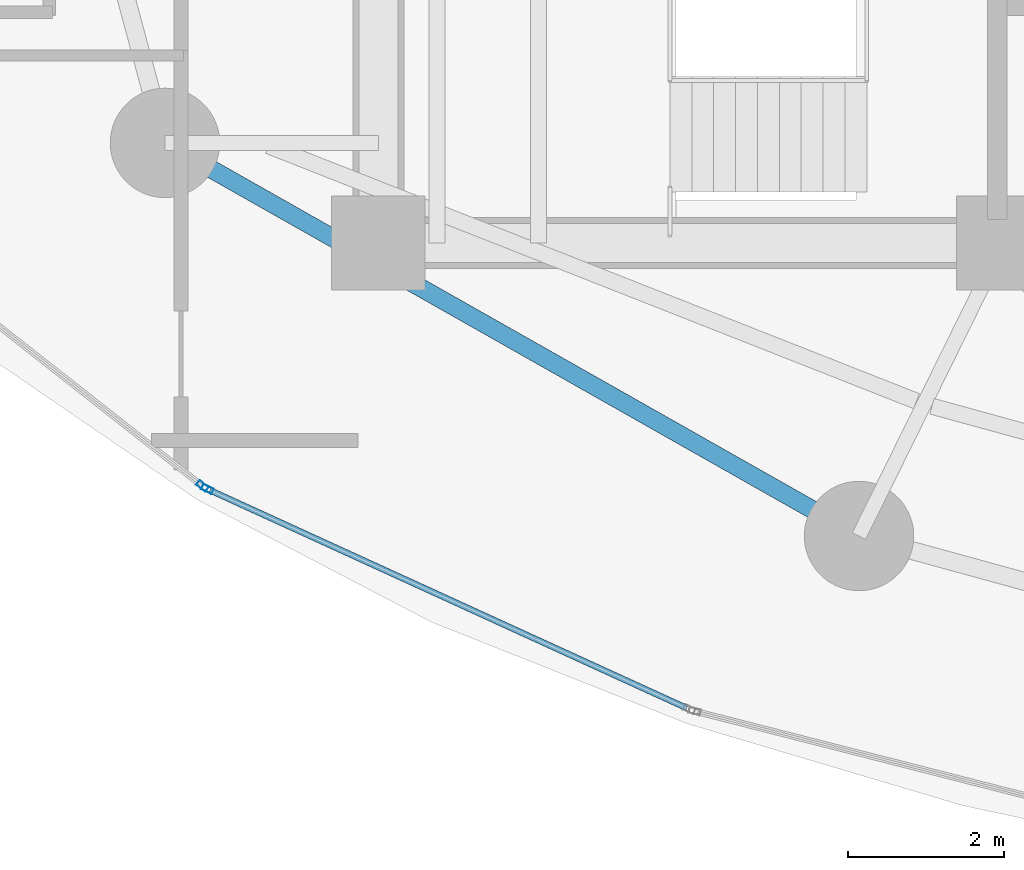
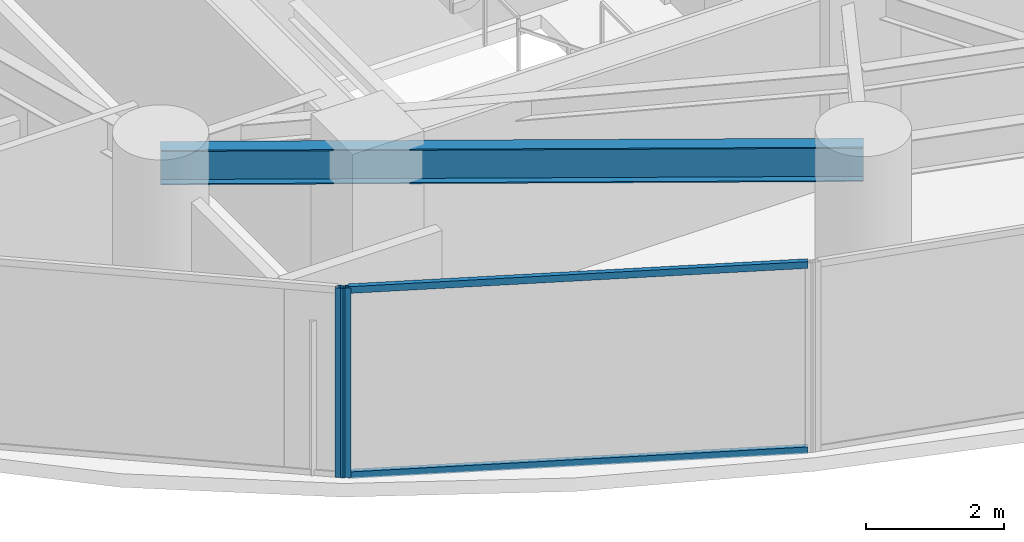
# One storey, part 2 of 33: 4 members, 1 beam, 2 elements without a shape of their own.
"""IFC4 building model written with IfcOpenShell, lengths in metres."""

import ifcopenshell
import ifcopenshell.guid

model = None  # the IFC model being written
_history = None  # IfcOwnerHistory: only IFC2X3 demands one
_inside = {}  # id of a spatial element -> (the spatial element, [elements in it])
_under = {}  # id of a project, library or spatial element -> (it, [spatial elements below it])
_declared = {}  # id of a project -> (the project, [libraries it declares])
_typed = {}  # id of a type object -> (the type object, [elements of that type])
_made_of = {}  # id of a material, layer set ... -> (it, [elements and type objects made of it])


def new_model(schema):
    """Start an empty IFC model of exactly this schema.

    Asked for "IFC4X3", IfcOpenShell would pick the latest addendum, in which some entities
    have other attributes; the version numbers below select the first issue.
    IFC2X3 requires an IfcOwnerHistory on every rooted entity: one is made here for all.
    """
    global model, _history
    if schema == "IFC4X3":
        model = ifcopenshell.file(schema_version=(4, 3, 0, 0))
    else:
        model = ifcopenshell.file(schema=schema)
    _inside.clear()
    _under.clear()
    _declared.clear()
    _typed.clear()
    _made_of.clear()
    _history = None
    if model.schema == "IFC2X3":
        org = make("IfcOrganization", Name="unknown")
        user = make(
            "IfcPersonAndOrganization",
            ThePerson=make("IfcPerson", FamilyName="unknown"),
            TheOrganization=org,
        )
        app = make(
            "IfcApplication",
            ApplicationDeveloper=org,
            Version="unknown",
            ApplicationFullName="unknown",
            ApplicationIdentifier="unknown",
        )
        _history = make(
            "IfcOwnerHistory",
            OwningUser=user,
            OwningApplication=app,
            ChangeAction="ADDED",
            CreationDate=0,
        )
    return model


def make(cls, **values):
    """One entity of the class cls with the attributes given. An attribute that is None is left unset."""
    return model.create_entity(
        cls, **{name: value for name, value in values.items() if value is not None}
    )


def rooted(cls, **values):
    """An entity with a GlobalId (a new one), such as an element, a storey or a relation."""
    return make(cls, GlobalId=ifcopenshell.guid.new(), OwnerHistory=_history, **values)


def si_unit(unit_type, name, prefix=None):
    """IfcSIUnit, for example si_unit("LENGTHUNIT", "METRE", prefix="MILLI")."""
    return make("IfcSIUnit", UnitType=unit_type, Prefix=prefix, Name=name)


def assignment(units):
    """IfcUnitAssignment: the units of a project."""
    return None if units is None else make("IfcUnitAssignment", Units=units)


def point(xyz):
    """IfcCartesianPoint."""
    return None if xyz is None else make("IfcCartesianPoint", Coordinates=xyz)


def direction(xyz):
    """IfcDirection."""
    return None if xyz is None else make("IfcDirection", DirectionRatios=xyz)


def frame(location, z_axis=None, x_axis=None):
    """IfcAxis2Placement3D, a coordinate frame: its origin and axes. An axis left out is left unset."""
    return make(
        "IfcAxis2Placement3D",
        Location=point(location),
        Axis=direction(z_axis),
        RefDirection=direction(x_axis),
    )


def frame_2d(location, x_axis=None):
    """IfcAxis2Placement2D, a coordinate frame in the plane: its origin and x axis."""
    return make(
        "IfcAxis2Placement2D", Location=point(location), RefDirection=direction(x_axis)
    )


def origin():
    """The frame at (0, 0, 0) with its axes left unset."""
    return frame((0.0, 0.0, 0.0))


def origin_2d():
    """The frame at (0, 0) in the plane with its x axis left unset."""
    return frame_2d((0.0, 0.0))


def place(relative_to, where):
    """IfcLocalPlacement: puts the frame where relative to a parent placement (None: the world)."""
    return make(
        "IfcLocalPlacement", PlacementRelTo=relative_to, RelativePlacement=where
    )


def context(
    kind, dimensions, precision=None, world=None, true_north=None, identifier=None
):
    """IfcGeometricRepresentationContext, for example the 3D "Model" context."""
    return make(
        "IfcGeometricRepresentationContext",
        ContextIdentifier=identifier,
        ContextType=kind,
        CoordinateSpaceDimension=dimensions,
        Precision=precision,
        WorldCoordinateSystem=world,
        TrueNorth=true_north,
    )


def subcontext(parent, identifier, kind, view, scale=None):
    """IfcGeometricRepresentationSubContext, for example "Body" below "Model"."""
    return make(
        "IfcGeometricRepresentationSubContext",
        ContextIdentifier=identifier,
        ContextType=kind,
        ParentContext=parent,
        TargetScale=scale,
        TargetView=view,
    )


def project(units=None, contexts=None):
    """IfcProject with its units and contexts."""
    return rooted(
        "IfcProject",
        Name="project",
        RepresentationContexts=contexts,
        UnitsInContext=assignment(units),
    )


def spatial(cls, under=None, at=None, **own):
    """A site, building, storey or space (cls), placed at a placement, below another one or the project."""
    s = rooted(cls, ObjectPlacement=at, **own)
    if under is not None:
        _under.setdefault(under.id(), (under, []))[1].append(s)
    return s


def profile(cls, at=None, kind="AREA", **sizes):
    """A parametric profile (cls). Its sizes go by their IFC names, for example OverallWidth=200.0."""
    return make(cls, ProfileType=kind, Position=at, **sizes)


def hollow_rectangle(**sizes):
    """IfcRectangleHollowProfileDef."""
    return profile("IfcRectangleHollowProfileDef", **sizes)


def i_section(**sizes):
    """IfcIShapeProfileDef."""
    return profile("IfcIShapeProfileDef", **sizes)


def extrude(swept, where, along, depth):
    """IfcExtrudedAreaSolid: the profile swept, set in the frame where, extruded along a direction by depth."""
    return make(
        "IfcExtrudedAreaSolid",
        SweptArea=swept,
        Position=where,
        ExtrudedDirection=direction(along),
        Depth=depth,
    )


def shape(context_of_items, identifier, shape_type, items):
    """IfcShapeRepresentation: the items that make up one representation, for example the "Body"."""
    return make(
        "IfcShapeRepresentation",
        ContextOfItems=context_of_items,
        RepresentationIdentifier=identifier,
        RepresentationType=shape_type,
        Items=items,
    )


def material(Name=None, Category=None):
    """IfcMaterial."""
    return make("IfcMaterial", Name=Name, Category=Category)


def layer(
    of_material, thickness, ventilated=None, Name=None, Category=None, Priority=None
):
    """IfcMaterialLayer: one layer of a wall or slab, of a material (None: an air gap)."""
    return make(
        "IfcMaterialLayer",
        Material=of_material,
        LayerThickness=thickness,
        IsVentilated=ventilated,
        Name=Name,
        Category=Category,
        Priority=Priority,
    )


def layer_set(layers, Name=None):
    """IfcMaterialLayerSet."""
    return make("IfcMaterialLayerSet", MaterialLayers=layers, LayerSetName=Name)


def material_profile(
    of_material, cross_section, Name=None, Category=None, Priority=None
):
    """IfcMaterialProfile: a cross section and its material."""
    return make(
        "IfcMaterialProfile",
        Name=Name,
        Material=of_material,
        Profile=cross_section,
        Priority=Priority,
        Category=Category,
    )


def profile_set(profiles, Name=None, composite=None):
    """IfcMaterialProfileSet."""
    return make(
        "IfcMaterialProfileSet",
        Name=Name,
        MaterialProfiles=profiles,
        CompositeProfile=composite,
    )


def made_of(thing, what):
    """Note that an element or type object is made of a material, layer set ...; save() writes the relation."""
    if what is not None:
        _made_of.setdefault(what.id(), (what, []))[1].append(thing)
    return thing


def type_object(cls, material=None, **own):
    """A type object (cls), such as IfcWallType, which elements share."""
    return made_of(rooted(cls, **own), material)


def element(
    cls,
    number,
    at=None,
    inside=None,
    cuts=None,
    type_object=None,
    material=None,
    context=None,
    identifier="Body",
    shape_type=None,
    held_by="IfcProductDefinitionShape",
    body=None,
    shapes=None,
    **own,
):
    """One element of the class cls, such as IfcWall. Its Tag is "e" and its number.

    at: its placement. inside: the storey or other place that contains it. cuts: it is an
    opening in that element (IfcRelVoidsElement). A single representation is given by context,
    identifier, shape_type and body (its items); several are given by shapes. held_by: the class
    of the entity that holds the representations. save() writes the other relations.
    """
    e = rooted(cls, Tag="e%d" % number, ObjectPlacement=at, **own)
    if body is not None:
        shapes = [shape(context, identifier, shape_type, body)]
    if shapes is not None:
        e.Representation = make(held_by, Representations=shapes)
    if inside is not None:
        _inside.setdefault(inside.id(), (inside, []))[1].append(e)
    if cuts is not None:
        rooted(
            "IfcRelVoidsElement", RelatingBuildingElement=cuts, RelatedOpeningElement=e
        )
    if type_object is not None:
        _typed.setdefault(type_object.id(), (type_object, []))[1].append(e)
    return made_of(e, material)


def aggregate(whole, parts):
    """IfcRelAggregates: a whole, such as a stair, and the parts it consists of."""
    return rooted("IfcRelAggregates", RelatingObject=whole, RelatedObjects=parts)


def save(model, path):
    """Write the relations noted so far, then the file.

    IfcRelAggregates (storeys below a building ...), IfcRelContainedInSpatialStructure (elements
    in a storey), IfcRelDefinesByType, IfcRelAssociatesMaterial and IfcRelDeclares: one each for
    every whole, place, type object, material and project.
    """
    for whole, parts in _under.values():
        aggregate(whole, parts)
    for where, things in _inside.values():
        rooted(
            "IfcRelContainedInSpatialStructure",
            RelatedElements=things,
            RelatingStructure=where,
        )
    for kind, things in _typed.values():
        rooted("IfcRelDefinesByType", RelatedObjects=things, RelatingType=kind)
    for what, things in _made_of.values():
        rooted("IfcRelAssociatesMaterial", RelatedObjects=things, RelatingMaterial=what)
    for by, libraries in _declared.values():
        rooted("IfcRelDeclares", RelatingContext=by, RelatedDefinitions=libraries)
    model.write(path)


model = new_model("IFC4")

# Units and contexts
model_context = context("Model", 3, precision=1e-05, world=origin(), true_north=direction((0.0, 1.0)))
body_context = subcontext(model_context, "Body", "Model", "MODEL_VIEW")
ifc_project = project(units=[si_unit("LENGTHUNIT", "METRE"), si_unit("AREAUNIT", "SQUARE_METRE"), si_unit("VOLUMEUNIT", "CUBIC_METRE"), si_unit("PLANEANGLEUNIT", "RADIAN"), si_unit("MASSUNIT", "GRAM", prefix="KILO")], contexts=[model_context])

# Site, building, storey
site_placement = place(None, origin())
site = spatial("IfcSite", under=ifc_project, at=site_placement, CompositionType="ELEMENT")
building_placement = place(site_placement, origin())
building = spatial("IfcBuilding", under=site, at=building_placement, Name="Kazevale Care Tower and Concert Hall", CompositionType="ELEMENT")
storey_placement = place(building_placement, frame((0.0, 0.0, 31.199951171875)))
storey = spatial("IfcBuildingStorey", under=building, at=storey_placement, Name="L07", CompositionType="ELEMENT", Elevation=31.199951171875)

# Curtain wall, member
ifc_material_1 = material(Name="Aluminium 6063-T6 and Low-E Glass", Category="aluminium")
ifc_layer = layer(ifc_material_1, 0.179931640625)
ifc_layer_set = layer_set([ifc_layer], Name="Aluminium 6063-T6 and Low-E Glass")
curtain_wall_type = type_object("IfcCurtainWallType", Name="Sheltered Concave Balcony Curtain Wall CW-5", PredefinedType="NOTDEFINED", material=ifc_layer_set)
curtain_wall_1_placement = place(storey_placement, origin())
curtain_wall_1 = element("IfcCurtainWall", 1, at=curtain_wall_1_placement, inside=storey, type_object=curtain_wall_type, Name="cw:L07:f09", PredefinedType="NOTDEFINED")
ifc_material_2 = material(Name="Aluminium 6063-T6", Category="aluminium")
ifc_material_profile_1 = material_profile(ifc_material_2, hollow_rectangle(XDim=0.074951171875, YDim=0.14990234375, WallThickness=0.00390625, at=origin_2d()), Name="ALU75x150x4")
ifc_profile_set_1 = profile_set([ifc_material_profile_1], Name="Aluminium 6063-T6")
member_type_1 = type_object("IfcMemberType", Name="CW-5 Mullion ALU75x150x4", PredefinedType="MULLION", material=ifc_profile_set_1)
member_1_placement = place(storey_placement, frame((19.81201171875, 20.451416015625, 0.0), z_axis=(0.0, 0.0, 1.0), x_axis=(-0.415659767773, -0.909520179795, 0.0)))
member_1 = element("IfcMember", 2, at=member_1_placement, type_object=member_type_1, Name="CW-5 mullion 2", PredefinedType="MULLION", context=body_context, shape_type="SweptSolid", body=[
    extrude(hollow_rectangle(XDim=0.074951171875, YDim=0.14990234375, WallThickness=0.00390625, at=origin_2d()), origin(), (0.0, 0.0, 1.0), 3.360107421875),
])

curtain_wall_2_placement = place(storey_placement, origin())
curtain_wall_2 = element("IfcCurtainWall", 3, at=curtain_wall_2_placement, inside=storey, type_object=curtain_wall_type, Name="cw:L07:f10", PredefinedType="NOTDEFINED")
member_2_placement = place(storey_placement, frame((19.74853515625, 20.490234375, 0.0), z_axis=(0.0, 0.0, 1.0), x_axis=(-0.617807548814, -0.78632934107, 0.0)))
member_2 = element("IfcMember", 4, at=member_2_placement, type_object=member_type_1, Name="CW-5 mullion 1", PredefinedType="MULLION", context=body_context, shape_type="SweptSolid", body=[
    extrude(hollow_rectangle(XDim=0.074951171875, YDim=0.14990234375, WallThickness=0.00390625, at=origin_2d()), origin(), (0.0, 0.0, 1.0), 3.360107421875),
])
aggregate(curtain_wall_2, [member_2])

# Member
ifc_material_profile_2 = material_profile(ifc_material_2, hollow_rectangle(XDim=0.074951171875, YDim=0.1201171875, WallThickness=0.00390625, at=origin_2d()), Name="ALU75x120x4")
ifc_profile_set_2 = profile_set([ifc_material_profile_2], Name="Aluminium 6063-T6")
member_type_2 = type_object("IfcMemberType", Name="CW-5 Transom ALU75x120x4", PredefinedType="USERDEFINED", material=ifc_profile_set_2)
member_3_placement = place(storey_placement, frame((25.94384765625, 17.649169921875, 0.03759765625), z_axis=(-0.909524040017, 0.415651320978, 0.0), x_axis=(-0.415651320978, -0.909524040017, 0.0)))
member_3 = element("IfcMember", 5, at=member_3_placement, type_object=member_type_2, Name="CW-5 transom 1.1", ObjectType="TRANSOM", PredefinedType="USERDEFINED", context=body_context, shape_type="SweptSolid", body=[
    extrude(hollow_rectangle(XDim=0.074951171875, YDim=0.1201171875, WallThickness=0.00390625, at=origin_2d()), origin(), (0.0, 0.0, 1.0), 6.704345703125),
])

member_4_placement = place(storey_placement, frame((25.94384765625, 17.649169921875, 3.322509765625), z_axis=(-0.909524040017, 0.415651320978, 0.0), x_axis=(-0.415651320978, -0.909524040017, 0.0)))
member_4 = element("IfcMember", 6, at=member_4_placement, type_object=member_type_2, Name="CW-5 transom 1.2", ObjectType="TRANSOM", PredefinedType="USERDEFINED", context=body_context, shape_type="SweptSolid", body=[
    extrude(hollow_rectangle(XDim=0.074951171875, YDim=0.1201171875, WallThickness=0.00390625, at=origin_2d()), origin(), (0.0, 0.0, 1.0), 6.704345703125),
])

aggregate(curtain_wall_1, [member_1, member_3, member_4])

# Beam
ifc_material_3 = material(Name="Steel ASTM A572 Gr 50", Category="steel")
ifc_material_profile_3 = material_profile(ifc_material_3, i_section(OverallWidth=0.22900390625, OverallDepth=0.612060546875, WebThickness=0.011962890625, FlangeThickness=0.01953125, at=origin_2d()), Name="W610x125")
ifc_profile_set_3 = profile_set([ifc_material_profile_3], Name="Steel ASTM A572 Gr 50")
beam_type = type_object("IfcBeamType", Name="Ring Spandrel Beam W610x125", PredefinedType="SPANDREL", material=ifc_profile_set_3)
beam_placement = place(storey_placement, frame((19.27001953125, 24.8798828125, 3.053955078125), z_axis=(0.870112469479, -0.492853213906, 0.0), x_axis=(0.492853213906, 0.870112469479, 0.0)))
element("IfcBeam", 7, at=beam_placement, inside=storey, type_object=beam_type, Name="beam:L07:ring:10", PredefinedType="SPANDREL", context=body_context, shape_type="SweptSolid", body=[
    extrude(i_section(OverallWidth=0.22900390625, OverallDepth=0.612060546875, WebThickness=0.011962890625, FlangeThickness=0.01953125, at=origin_2d()), origin(), (0.0, 0.0, 1.0), 10.205322265625),
])

save(model, "model.ifc")
